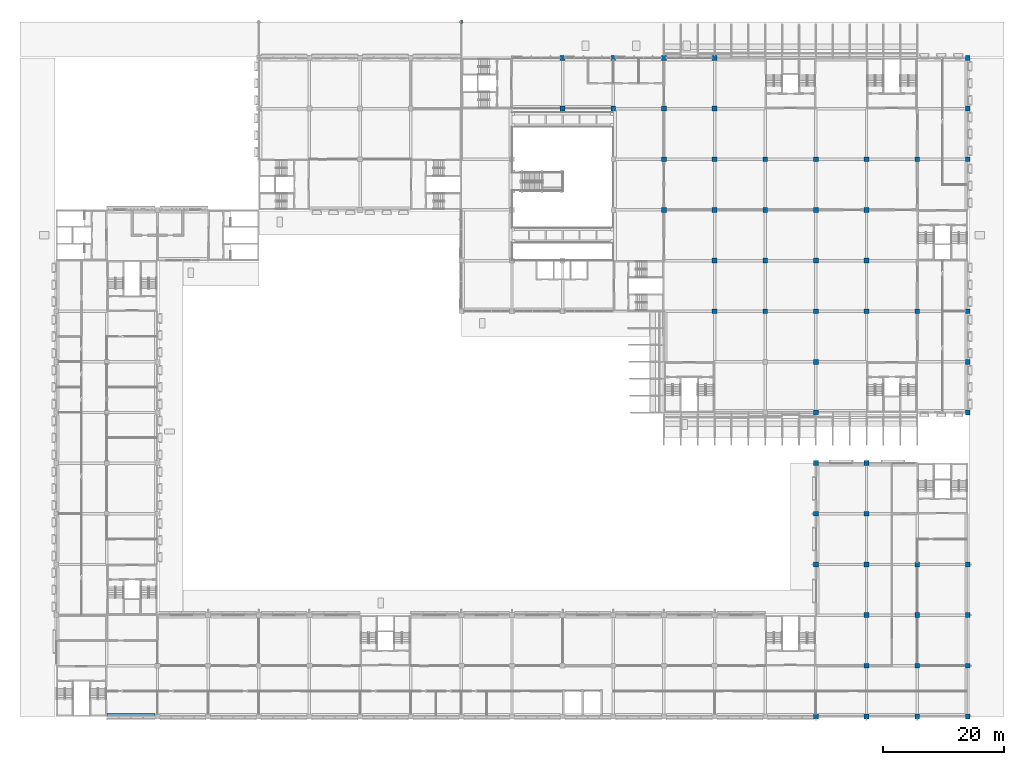
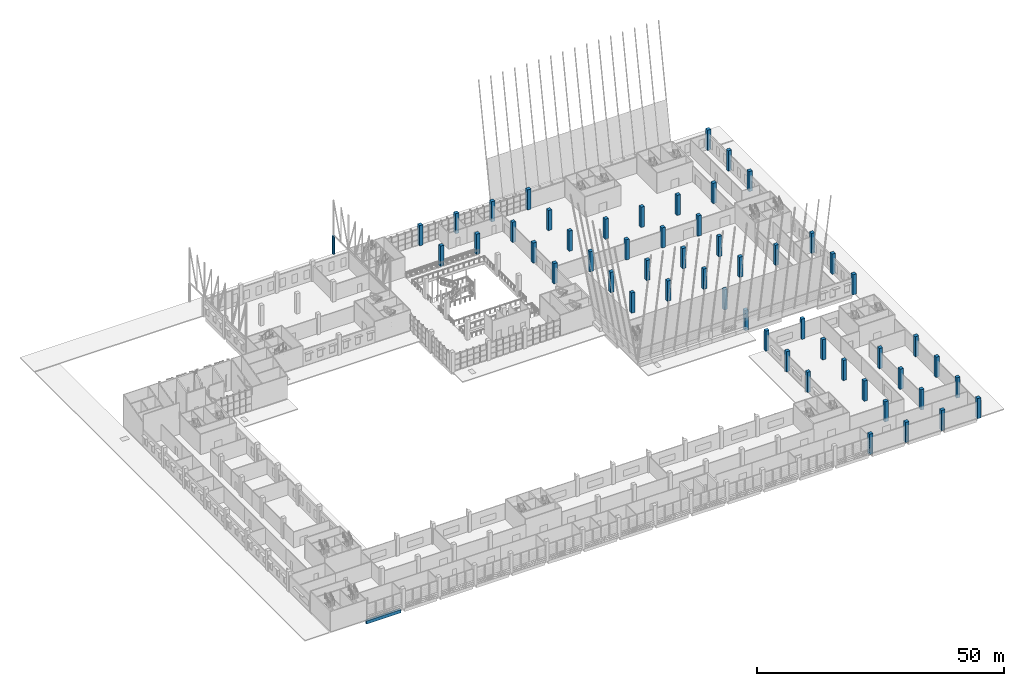
# One storey, part 3 of 101: 55 columns, 1 beam.
"""IFC4 building model written with IfcOpenShell, lengths in metres."""

from ifc_helpers import new_model, si_unit, direction, frame, origin, origin_2d, place, context, subcontext, project, spatial, rectangle, circle, extrude, material, material_profile, profile_set, type_object, element, save


model = new_model("IFC4")

# Units and contexts
model_context = context("Model", 3, precision=1e-05, world=origin(), true_north=direction((0.0, 1.0)))
body_context = subcontext(model_context, "Body", "Model", "MODEL_VIEW")
ifc_project = project(units=[si_unit("LENGTHUNIT", "METRE"), si_unit("AREAUNIT", "SQUARE_METRE"), si_unit("VOLUMEUNIT", "CUBIC_METRE"), si_unit("PLANEANGLEUNIT", "RADIAN"), si_unit("MASSUNIT", "GRAM", prefix="KILO")], contexts=[model_context])

# Site, building, storey
site_placement = place(None, origin())
site = spatial("IfcSite", under=ifc_project, at=site_placement, CompositionType="ELEMENT")
building_placement = place(site_placement, origin())
building = spatial("IfcBuilding", under=site, at=building_placement, Name="Almond Square Museum", CompositionType="ELEMENT")
storey_placement = place(building_placement, frame((0.0, 0.0, 5.5)))
storey = spatial("IfcBuildingStorey", under=building, at=storey_placement, Name="L01", CompositionType="ELEMENT", Elevation=5.5)

# Columns
ifc_material_1 = material(Name="Concrete C40/50", Category="concrete")
ifc_material_profile_1 = material_profile(ifc_material_1, rectangle(XDim=0.800048828125, YDim=0.800048828125, at=origin_2d()))
ifc_profile_set_1 = profile_set([ifc_material_profile_1], Name="Concrete C40/50")
column_type_1 = type_object("IfcColumnType", Name="RC column 800 x 800 C40/50", PredefinedType="COLUMN", material=ifc_profile_set_1)
for number, where, z_axis, x_axis, name in (
    (1, (90.0, 100.800048828125, 0.0), (0.0, 0.0, 1.0), (1.0, 0.0, 0.0), "Column 12-M L01"),
    (2, (90.0, 109.199951171875, 0.0), (0.0, 0.0, 1.0), (1.0, 0.0, 0.0), "Column 12-N L01"),
    (3, (98.39990234375, 100.800048828125, 0.0), (0.0, 0.0, 1.0), (1.0, 0.0, 0.0), "Column 13-M L01"),
    (4, (98.39990234375, 109.199951171875, 0.0), (0.0, 0.0, 1.0), (1.0, 0.0, 0.0), "Column 13-N L01"),
    (5, (106.800048828125, 84.0, 0.0), (0.0, 0.0, 1.0), (1.0, 0.0, 0.0), "Column 14-K L01"),
    (6, (106.800048828125, 92.39990234375, 0.0), (0.0, 0.0, 1.0), (1.0, 0.0, 0.0), "Column 14-L L01"),
    (7, (106.800048828125, 100.800048828125, 0.0), (0.0, 0.0, 1.0), (1.0, 0.0, 0.0), "Column 14-M L01"),
    (8, (106.800048828125, 109.199951171875, 0.0), (0.0, 0.0, 1.0), (1.0, 0.0, 0.0), "Column 14-N L01"),
    (9, (115.199951171875, 67.199951171875, 0.0), (0.0, 0.0, 1.0), (1.0, 0.0, 0.0), "Column 15-I L01"),
    (10, (115.199951171875, 75.60009765625, 0.0), (0.0, 0.0, 1.0), (1.0, 0.0, 0.0), "Column 15-J L01"),
    (11, (115.199951171875, 84.0, 0.0), (0.0, 0.0, 1.0), (1.0, 0.0, 0.0), "Column 15-K L01"),
    (12, (115.199951171875, 92.39990234375, 0.0), (0.0, 0.0, 1.0), (1.0, 0.0, 0.0), "Column 15-L L01"),
    (13, (115.199951171875, 100.800048828125, 0.0), (0.0, 0.0, 1.0), (1.0, 0.0, 0.0), "Column 15-M L01"),
    (14, (115.199951171875, 109.199951171875, 0.0), (0.0, 0.0, 1.0), (1.0, 0.0, 0.0), "Column 15-N L01"),
    (15, (123.60009765625, 67.199951171875, 0.0), (0.0, 0.0, 1.0), (1.0, 0.0, 0.0), "Column 16-I L01"),
    (16, (123.60009765625, 75.60009765625, 0.0), (0.0, 0.0, 1.0), (1.0, 0.0, 0.0), "Column 16-J L01"),
    (17, (123.60009765625, 84.0, 0.0), (0.0, 0.0, 1.0), (1.0, 0.0, 0.0), "Column 16-K L01"),
    (18, (123.60009765625, 92.39990234375, 0.0), (0.0, 0.0, 1.0), (1.0, 0.0, 0.0), "Column 16-L L01"),
    (19, (132.0, 0.0, 0.0), (0.0, 0.0, 1.0), (1.0, 0.0, 0.0), "Column 17-A L01"),
    (20, (132.0, 25.199951171875, 0.0), (0.0, 0.0, 1.0), (1.0, 0.0, 0.0), "Column 17-D L01"),
    (21, (132.0, 33.60009765625, 0.0), (0.0, 0.0, 1.0), (1.0, 0.0, 0.0), "Column 17-E L01"),
    (22, (132.0, 42.0, 0.0), (0.0, 0.0, 1.0), (1.0, 0.0, 0.0), "Column 17-F L01"),
    (23, (132.0, 50.39990234375, 0.0), (0.0, 0.0, 1.0), (1.0, 0.0, 0.0), "Column 17-G L01"),
    (24, (132.0, 58.800048828125, 0.0), (0.0, 0.0, 1.0), (1.0, 0.0, 0.0), "Column 17-H L01"),
    (25, (132.0, 67.199951171875, 0.0), (0.0, 0.0, 1.0), (1.0, 0.0, 0.0), "Column 17-I L01"),
    (26, (132.0, 75.60009765625, 0.0), (0.0, 0.0, 1.0), (1.0, 0.0, 0.0), "Column 17-J L01"),
    (27, (132.0, 84.0, 0.0), (0.0, 0.0, 1.0), (1.0, 0.0, 0.0), "Column 17-K L01"),
    (28, (132.0, 92.39990234375, 0.0), (0.0, 0.0, 1.0), (1.0, 0.0, 0.0), "Column 17-L L01"),
    (29, (140.39990234375, 0.0, 0.0), (0.0, 0.0, 1.0), (1.0, 0.0, 0.0), "Column 18-A L01"),
    (30, (140.39990234375, 8.39990234375, 0.0), (0.0, 0.0, 1.0), (1.0, 0.0, 0.0), "Column 18-B L01"),
    (31, (140.39990234375, 16.800048828125, 0.0), (0.0, 0.0, 1.0), (1.0, 0.0, 0.0), "Column 18-C L01"),
    (32, (140.39990234375, 25.199951171875, 0.0), (0.0, 0.0, 1.0), (1.0, 0.0, 0.0), "Column 18-D L01"),
    (33, (140.39990234375, 33.60009765625, 0.0), (0.0, 0.0, 1.0), (1.0, 0.0, 0.0), "Column 18-E L01"),
    (34, (140.39990234375, 42.0, 0.0), (0.0, 0.0, 1.0), (1.0, 0.0, 0.0), "Column 18-F L01"),
    (35, (140.39990234375, 67.199951171875, 0.0), (0.0, 0.0, 1.0), (1.0, 0.0, 0.0), "Column 18-I L01"),
    (36, (140.39990234375, 75.60009765625, 0.0), (0.0, 0.0, 1.0), (1.0, 0.0, 0.0), "Column 18-J L01"),
    (37, (140.39990234375, 84.0, 0.0), (0.0, 0.0, 1.0), (1.0, 0.0, 0.0), "Column 18-K L01"),
    (38, (140.39990234375, 92.39990234375, 0.0), (0.0, 0.0, 1.0), (1.0, 0.0, 0.0), "Column 18-L L01"),
    (39, (148.800048828125, 0.0, 0.0), (0.0, 0.0, 1.0), (1.0, 0.0, 0.0), "Column 19-A L01"),
    (40, (148.800048828125, 8.39990234375, 0.0), (0.0, 0.0, 1.0), (1.0, 0.0, 0.0), "Column 19-B L01"),
    (41, (148.800048828125, 16.800048828125, 0.0), (0.0, 0.0, 1.0), (1.0, 0.0, 0.0), "Column 19-C L01"),
    (42, (148.800048828125, 25.199951171875, 0.0), (0.0, 0.0, 1.0), (1.0, 0.0, 0.0), "Column 19-D L01"),
    (43, (148.800048828125, 67.199951171875, 0.0), (0.0, 0.0, 1.0), (1.0, 0.0, 0.0), "Column 19-I L01"),
    (44, (148.800048828125, 92.39990234375, 0.0), (0.0, 0.0, 1.0), (1.0, 0.0, 0.0), "Column 19-L L01"),
    (45, (157.199951171875, 0.0, 0.0), (0.0, 0.0, 1.0), (1.0, 0.0, 0.0), "Column 20-A L01"),
    (46, (157.199951171875, 8.39990234375, 0.0), (0.0, 0.0, 1.0), (1.0, 0.0, 0.0), "Column 20-B L01"),
    (47, (157.199951171875, 16.800048828125, 0.0), (0.0, 0.0, 1.0), (1.0, 0.0, 0.0), "Column 20-C L01"),
    (48, (157.199951171875, 25.199951171875, 0.0), (0.0, 0.0, 1.0), (1.0, 0.0, 0.0), "Column 20-D L01"),
    (49, (157.199951171875, 50.39990234375, 0.0), (0.0, 0.0, 1.0), (1.0, 0.0, 0.0), "Column 20-G L01"),
    (50, (157.199951171875, 58.800048828125, 0.0), (0.0, 0.0, 1.0), (1.0, 0.0, 0.0), "Column 20-H L01"),
    (51, (157.199951171875, 67.199951171875, 0.0), (0.0, 0.0, 1.0), (1.0, 0.0, 0.0), "Column 20-I L01"),
    (52, (157.199951171875, 92.39990234375, 0.0), (0.0, 0.0, 1.0), (1.0, 0.0, 0.0), "Column 20-L L01"),
    (53, (157.199951171875, 100.800048828125, 0.0), (0.0, 0.0, 1.0), (1.0, 0.0, 0.0), "Column 20-M L01"),
    (54, (157.199951171875, 109.199951171875, 0.0), (0.0, 0.0, 1.0), (1.0, 0.0, 0.0), "Column 20-N L01"),
):
    element("IfcColumn", number, at=place(storey_placement, frame(where, z_axis=z_axis, x_axis=x_axis)), inside=storey, type_object=column_type_1, Name=name, PredefinedType="COLUMN", context=body_context, shape_type="SweptSolid", body=[
        extrude(rectangle(XDim=0.800048828125, YDim=0.800048828125, at=origin_2d()), origin(), (0.0, 0.0, 1.0), 5.0),
    ])
ifc_material_2 = material(Name="Concrete C40/50", Category="concrete")
ifc_material_profile_2 = material_profile(ifc_material_2, circle(Radius=0.300048828125, at=origin_2d()))
ifc_profile_set_2 = profile_set([ifc_material_profile_2], Name="Concrete C40/50")
column_type_2 = type_object("IfcColumnType", Name="RC round column D600 C40/50", PredefinedType="COLUMN", material=ifc_profile_set_2)
column_placement = place(storey_placement, frame((73.199951171875, 115.199951171875, 0.0), z_axis=(0.0, 0.0, 1.0), x_axis=(1.0, 0.0, 0.0)))
element("IfcColumn", 55, at=column_placement, inside=storey, type_object=column_type_2, Name="Arcade column 10-O L01", PredefinedType="COLUMN", context=body_context, shape_type="SweptSolid", body=[
    extrude(circle(Radius=0.300048828125, at=origin_2d()), origin(), (0.0, 0.0, 1.0), 4.35009765625),
])

# Beam
ifc_material_3 = material(Name="Concrete C40/50", Category="concrete")
ifc_material_profile_3 = material_profile(ifc_material_3, rectangle(XDim=0.5, YDim=0.800048828125, at=origin_2d()))
ifc_profile_set_3 = profile_set([ifc_material_profile_3], Name="Concrete C40/50")
beam_type = type_object("IfcBeamType", Name="RC edge beam 500 x 800 C40/50", PredefinedType="BEAM", material=ifc_profile_set_3)
beam_placement = place(storey_placement, frame((14.39990234375, 0.25, -0.64990234375), z_axis=(1.0, 0.0, 0.0), x_axis=(0.0, 1.0, 0.0)))
element("IfcBeam", 56, at=beam_placement, inside=storey, type_object=beam_type, Name="Edge beam A 3-4 L01", PredefinedType="BEAM", context=body_context, shape_type="SweptSolid", body=[
    extrude(rectangle(XDim=0.5, YDim=0.800048828125, at=origin_2d()), origin(), (0.0, 0.0, 1.0), 8.0),
])

save(model, "model.ifc")
